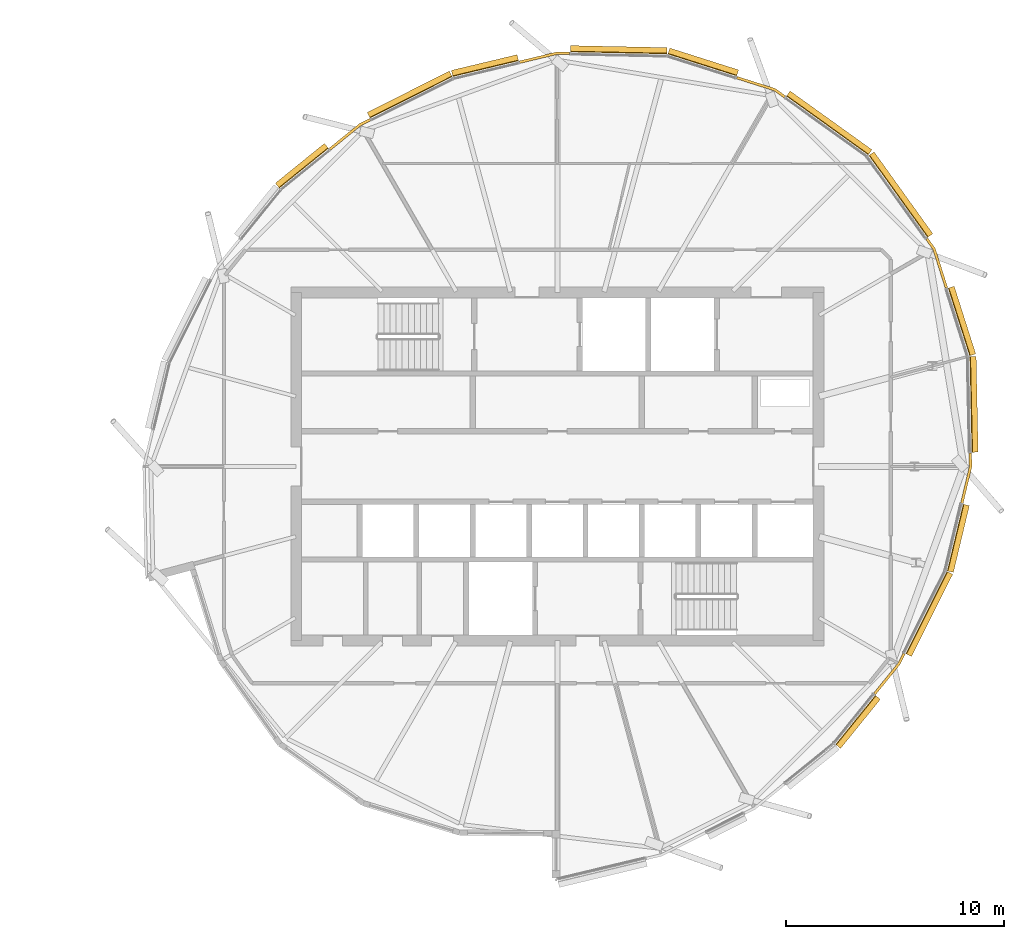
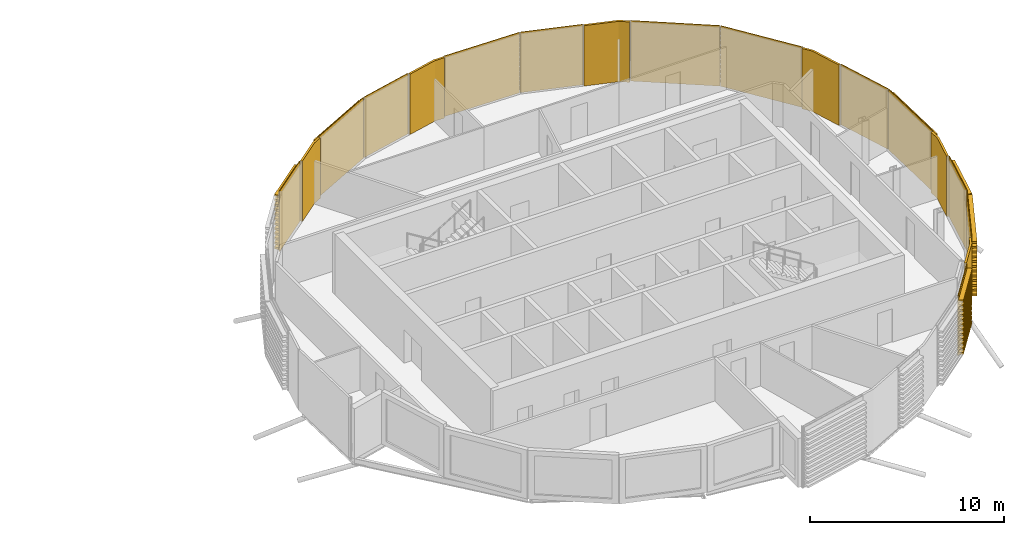
# One storey, part 34 of 34: 18 coverings.
"""IFC4 building model written with IfcOpenShell, lengths in metres."""

from ifc_helpers import new_model, si_unit, direction, frame, origin, place, context, subcontext, project, spatial, polyline, outline, extrude, material, layer, layer_set, material_profile, profile_set, type_object, element, save


model = new_model("IFC4")

# Units and contexts
model_context = context("Model", 3, precision=1e-05, world=origin(), true_north=direction((0.0, 1.0)))
body_context = subcontext(model_context, "Body", "Model", "MODEL_VIEW")
ifc_project = project(units=[si_unit("LENGTHUNIT", "METRE"), si_unit("AREAUNIT", "SQUARE_METRE"), si_unit("VOLUMEUNIT", "CUBIC_METRE"), si_unit("PLANEANGLEUNIT", "RADIAN"), si_unit("MASSUNIT", "GRAM", prefix="KILO")], contexts=[model_context])

# Site, building, storey
site_placement = place(None, origin())
site = spatial("IfcSite", under=ifc_project, at=site_placement, CompositionType="ELEMENT")
building_placement = place(site_placement, origin())
building = spatial("IfcBuilding", under=site, at=building_placement, Name="Rimbun Link Towers", CompositionType="ELEMENT")
storey_placement = place(building_placement, frame((0.0, 0.0, 252.300048828125)))
storey = spatial("IfcBuildingStorey", under=building, at=storey_placement, Name="L62", CompositionType="ELEMENT", Elevation=252.300048828125)

# Coverings
ifc_material_1 = material(Name="Terracotta", Category="masonry")
ifc_layer = layer(ifc_material_1, 0.1201171875)
ifc_layer_set = layer_set([ifc_layer], Name="LINK PIER terracotta cladding 120")
covering_type_1 = type_object("IfcCoveringType", Name="LINK PIER terracotta cladding 120", PredefinedType="CLADDING", material=ifc_layer_set)
covering_1_placement = place(storey_placement, origin())
element("IfcCovering", 1, at=covering_1_placement, inside=storey, type_object=covering_type_1, Name="LINK PIER cladding", PredefinedType="CLADDING", context=body_context, shape_type="SweptSolid", body=[
    extrude(outline(polyline([(39.98486328125, 17.81884765625), (41.71923828125, 17.267333984375), (42.182373046875, 16.93505859375), (42.25244140625, 17.032470703125), (41.773681640625, 17.3759765625), (40.021240234375, 17.933349609375), (39.98486328125, 17.81884765625)])), origin(), (0.0, 0.0, 1.0), 3.800048828125),
])
covering_2_placement = place(storey_placement, origin())
element("IfcCovering", 2, at=covering_2_placement, inside=storey, type_object=covering_type_1, Name="LINK PIER cladding", PredefinedType="CLADDING", context=body_context, shape_type="SweptSolid", body=[
    extrude(outline(polyline([(30.028564453125, 18.527587890625), (31.75, 18.939208984375), (32.31982421875, 18.92724609375), (32.322509765625, 19.047119140625), (31.737060546875, 19.0595703125), (30.000732421875, 18.644287109375), (30.028564453125, 18.527587890625)])), origin(), (0.0, 0.0, 1.0), 3.800048828125),
])
covering_3_placement = place(storey_placement, origin())
element("IfcCovering", 3, at=covering_3_placement, inside=storey, type_object=covering_type_1, Name="LINK PIER cladding", PredefinedType="CLADDING", context=body_context, shape_type="SweptSolid", body=[
    extrude(outline(polyline([(21.3359375, 14.541015625), (22.711669921875, 15.65478515625), (23.176513671875, 15.887939453125), (23.12255859375, 15.995361328125), (22.646240234375, 15.756103515625), (21.260498046875, 14.63427734375), (21.3359375, 14.541015625)])), origin(), (0.0, 0.0, 1.0), 3.800048828125),
])
covering_4_placement = place(storey_placement, origin())
element("IfcCovering", 4, at=covering_4_placement, inside=storey, type_object=covering_type_1, Name="LINK PIER cladding", PredefinedType="CLADDING", context=body_context, shape_type="SweptSolid", body=[
    extrude(outline(polyline([(47.637939453125, -8.573486328125), (47.40478515625, -9.038330078125), (46.291015625, -10.4140625), (46.38427734375, -10.489501953125), (47.506103515625, -9.103759765625), (47.745361328125, -8.62744140625), (47.637939453125, -8.573486328125)])), origin(), (0.0, 0.0, 1.0), 3.800048828125),
])
covering_5_placement = place(storey_placement, origin())
element("IfcCovering", 5, at=covering_5_placement, inside=storey, type_object=covering_type_1, Name="LINK PIER cladding", PredefinedType="CLADDING", context=body_context, shape_type="SweptSolid", body=[
    extrude(outline(polyline([(50.676025390625, 0.619873046875), (50.689208984375, 0.0), (50.2890625, -1.6728515625), (50.40576171875, -1.70068359375), (50.8095703125, -0.012939453125), (50.796142578125, 0.622314453125), (50.676025390625, 0.619873046875)])), origin(), (0.0, 0.0, 1.0), 3.800048828125),
])
covering_6_placement = place(storey_placement, origin())
element("IfcCovering", 6, at=covering_6_placement, inside=storey, type_object=covering_type_1, Name="LINK PIER cladding", PredefinedType="CLADDING", context=body_context, shape_type="SweptSolid", body=[
    extrude(outline(polyline([(48.68505859375, 10.432373046875), (49.017333984375, 9.96923828125), (49.583984375, 8.187255859375), (49.698486328125, 8.2236328125), (49.1259765625, 10.023681640625), (48.782470703125, 10.50244140625), (48.68505859375, 10.432373046875)])), origin(), (0.0, 0.0, 1.0), 3.800048828125),
])
ifc_material_2 = material(Name="Terracotta", Category="masonry")
ifc_material_profile = material_profile(ifc_material_2, outline(polyline([(0.123046875, 0.0), (0.1630859375, 0.0), (0.1630859375, 0.10009765625), (0.423095703125, 0.10009765625), (0.423095703125, 0.219970703125), (0.1630859375, 0.219970703125), (0.1630859375, 0.39990234375), (0.423095703125, 0.39990234375), (0.423095703125, 0.52001953125), (0.1630859375, 0.52001953125), (0.1630859375, 0.699951171875), (0.423095703125, 0.699951171875), (0.423095703125, 0.820068359375), (0.1630859375, 0.820068359375), (0.1630859375, 1.0), (0.423095703125, 1.0), (0.423095703125, 1.1201171875), (0.1630859375, 1.1201171875), (0.1630859375, 1.300048828125), (0.423095703125, 1.300048828125), (0.423095703125, 1.419921875), (0.1630859375, 1.419921875), (0.1630859375, 1.60009765625), (0.423095703125, 1.60009765625), (0.423095703125, 1.719970703125), (0.1630859375, 1.719970703125), (0.1630859375, 1.89990234375), (0.423095703125, 1.89990234375), (0.423095703125, 2.02001953125), (0.1630859375, 2.02001953125), (0.1630859375, 2.199951171875), (0.423095703125, 2.199951171875), (0.423095703125, 2.320068359375), (0.1630859375, 2.320068359375), (0.1630859375, 2.5), (0.423095703125, 2.5), (0.423095703125, 2.6201171875), (0.1630859375, 2.6201171875), (0.1630859375, 2.800048828125), (0.423095703125, 2.800048828125), (0.423095703125, 2.919921875), (0.1630859375, 2.919921875), (0.1630859375, 3.10009765625), (0.423095703125, 3.10009765625), (0.423095703125, 3.219970703125), (0.1630859375, 3.219970703125), (0.1630859375, 3.39990234375), (0.423095703125, 3.39990234375), (0.423095703125, 3.52001953125), (0.1630859375, 3.52001953125), (0.1630859375, 3.800048828125), (0.123046875, 3.800048828125), (0.123046875, 0.0)])), Name="BAGUETTE 120X300")
ifc_profile_set = profile_set([ifc_material_profile], Name="Terracotta")
covering_type_2 = type_object("IfcCoveringType", Name="TERRACOTTA BAGUETTE 120X300 H3800", PredefinedType="CLADDING", material=ifc_profile_set)
covering_7_placement = place(storey_placement, frame((42.206787109375, 16.91748046875, 0.0), z_axis=(0.812459513707, -0.583017614302, 0.0), x_axis=(0.583017614302, 0.812459513707, 0.0)))
element("IfcCovering", 7, at=covering_7_placement, inside=storey, type_object=covering_type_2, Name="TERRACOTTA BAGUETTE", PredefinedType="CLADDING", context=body_context, shape_type="SweptSolid", body=[
    extrude(outline(polyline([(0.123046875, 0.0), (0.1630859375, 0.0), (0.1630859375, 0.10009765625), (0.423095703125, 0.10009765625), (0.423095703125, 0.219970703125), (0.1630859375, 0.219970703125), (0.1630859375, 0.39990234375), (0.423095703125, 0.39990234375), (0.423095703125, 0.52001953125), (0.1630859375, 0.52001953125), (0.1630859375, 0.699951171875), (0.423095703125, 0.699951171875), (0.423095703125, 0.820068359375), (0.1630859375, 0.820068359375), (0.1630859375, 1.0), (0.423095703125, 1.0), (0.423095703125, 1.1201171875), (0.1630859375, 1.1201171875), (0.1630859375, 1.300048828125), (0.423095703125, 1.300048828125), (0.423095703125, 1.419921875), (0.1630859375, 1.419921875), (0.1630859375, 1.60009765625), (0.423095703125, 1.60009765625), (0.423095703125, 1.719970703125), (0.1630859375, 1.719970703125), (0.1630859375, 1.89990234375), (0.423095703125, 1.89990234375), (0.423095703125, 2.02001953125), (0.1630859375, 2.02001953125), (0.1630859375, 2.199951171875), (0.423095703125, 2.199951171875), (0.423095703125, 2.320068359375), (0.1630859375, 2.320068359375), (0.1630859375, 2.5), (0.423095703125, 2.5), (0.423095703125, 2.6201171875), (0.1630859375, 2.6201171875), (0.1630859375, 2.800048828125), (0.423095703125, 2.800048828125), (0.423095703125, 2.919921875), (0.1630859375, 2.919921875), (0.1630859375, 3.10009765625), (0.423095703125, 3.10009765625), (0.423095703125, 3.219970703125), (0.1630859375, 3.219970703125), (0.1630859375, 3.39990234375), (0.423095703125, 3.39990234375), (0.423095703125, 3.52001953125), (0.1630859375, 3.52001953125), (0.1630859375, 3.800048828125), (0.123046875, 3.800048828125), (0.123046875, 0.0)])), origin(), (0.0, 0.0, 1.0), 4.629638671875),
])
covering_8_placement = place(storey_placement, frame((36.79638671875, 18.8330078125, 0.0), z_axis=(0.952951884301, -0.303121603003, 0.0), x_axis=(0.303121603003, 0.952951884301, 0.0)))
element("IfcCovering", 8, at=covering_8_placement, inside=storey, type_object=covering_type_2, Name="TERRACOTTA BAGUETTE", PredefinedType="CLADDING", context=body_context, shape_type="SweptSolid", body=[
    extrude(outline(polyline([(0.123046875, 0.0), (0.1630859375, 0.0), (0.1630859375, 0.10009765625), (0.423095703125, 0.10009765625), (0.423095703125, 0.219970703125), (0.1630859375, 0.219970703125), (0.1630859375, 0.39990234375), (0.423095703125, 0.39990234375), (0.423095703125, 0.52001953125), (0.1630859375, 0.52001953125), (0.1630859375, 0.699951171875), (0.423095703125, 0.699951171875), (0.423095703125, 0.820068359375), (0.1630859375, 0.820068359375), (0.1630859375, 1.0), (0.423095703125, 1.0), (0.423095703125, 1.1201171875), (0.1630859375, 1.1201171875), (0.1630859375, 1.300048828125), (0.423095703125, 1.300048828125), (0.423095703125, 1.419921875), (0.1630859375, 1.419921875), (0.1630859375, 1.60009765625), (0.423095703125, 1.60009765625), (0.423095703125, 1.719970703125), (0.1630859375, 1.719970703125), (0.1630859375, 1.89990234375), (0.423095703125, 1.89990234375), (0.423095703125, 2.02001953125), (0.1630859375, 2.02001953125), (0.1630859375, 2.199951171875), (0.423095703125, 2.199951171875), (0.423095703125, 2.320068359375), (0.1630859375, 2.320068359375), (0.1630859375, 2.5), (0.423095703125, 2.5), (0.423095703125, 2.6201171875), (0.1630859375, 2.6201171875), (0.1630859375, 2.800048828125), (0.423095703125, 2.800048828125), (0.423095703125, 2.919921875), (0.1630859375, 2.919921875), (0.1630859375, 3.10009765625), (0.423095703125, 3.10009765625), (0.423095703125, 3.219970703125), (0.1630859375, 3.219970703125), (0.1630859375, 3.39990234375), (0.423095703125, 3.39990234375), (0.423095703125, 3.52001953125), (0.1630859375, 3.52001953125), (0.1630859375, 3.800048828125), (0.123046875, 3.800048828125), (0.123046875, 0.0)])), origin(), (0.0, 0.0, 1.0), 3.31591796875),
])
covering_9_placement = place(storey_placement, frame((32.349853515625, 18.926513671875, 0.0), z_axis=(0.999778965245, -0.02102428725, 0.0), x_axis=(0.02102428725, 0.999778965245, 0.0)))
element("IfcCovering", 9, at=covering_9_placement, inside=storey, type_object=covering_type_2, Name="TERRACOTTA BAGUETTE", PredefinedType="CLADDING", context=body_context, shape_type="SweptSolid", body=[
    extrude(outline(polyline([(0.123046875, 0.0), (0.1630859375, 0.0), (0.1630859375, 0.10009765625), (0.423095703125, 0.10009765625), (0.423095703125, 0.219970703125), (0.1630859375, 0.219970703125), (0.1630859375, 0.39990234375), (0.423095703125, 0.39990234375), (0.423095703125, 0.52001953125), (0.1630859375, 0.52001953125), (0.1630859375, 0.699951171875), (0.423095703125, 0.699951171875), (0.423095703125, 0.820068359375), (0.1630859375, 0.820068359375), (0.1630859375, 1.0), (0.423095703125, 1.0), (0.423095703125, 1.1201171875), (0.1630859375, 1.1201171875), (0.1630859375, 1.300048828125), (0.423095703125, 1.300048828125), (0.423095703125, 1.419921875), (0.1630859375, 1.419921875), (0.1630859375, 1.60009765625), (0.423095703125, 1.60009765625), (0.423095703125, 1.719970703125), (0.1630859375, 1.719970703125), (0.1630859375, 1.89990234375), (0.423095703125, 1.89990234375), (0.423095703125, 2.02001953125), (0.1630859375, 2.02001953125), (0.1630859375, 2.199951171875), (0.423095703125, 2.199951171875), (0.423095703125, 2.320068359375), (0.1630859375, 2.320068359375), (0.1630859375, 2.5), (0.423095703125, 2.5), (0.423095703125, 2.6201171875), (0.1630859375, 2.6201171875), (0.1630859375, 2.800048828125), (0.423095703125, 2.800048828125), (0.423095703125, 2.919921875), (0.1630859375, 2.919921875), (0.1630859375, 3.10009765625), (0.423095703125, 3.10009765625), (0.423095703125, 3.219970703125), (0.1630859375, 3.219970703125), (0.1630859375, 3.39990234375), (0.423095703125, 3.39990234375), (0.423095703125, 3.52001953125), (0.1630859375, 3.52001953125), (0.1630859375, 3.800048828125), (0.123046875, 3.800048828125), (0.123046875, 0.0)])), origin(), (0.0, 0.0, 1.0), 4.447509765625),
])
covering_10_placement = place(storey_placement, frame((26.98095703125, 17.798583984375, 0.0), z_axis=(0.972567672388, 0.232620125152, 0.0), x_axis=(-0.232620125152, 0.972567672388, 0.0)))
element("IfcCovering", 10, at=covering_10_placement, inside=storey, type_object=covering_type_2, Name="TERRACOTTA BAGUETTE", PredefinedType="CLADDING", context=body_context, shape_type="SweptSolid", body=[
    extrude(outline(polyline([(0.123046875, 0.0), (0.1630859375, 0.0), (0.1630859375, 0.10009765625), (0.423095703125, 0.10009765625), (0.423095703125, 0.219970703125), (0.1630859375, 0.219970703125), (0.1630859375, 0.39990234375), (0.423095703125, 0.39990234375), (0.423095703125, 0.52001953125), (0.1630859375, 0.52001953125), (0.1630859375, 0.699951171875), (0.423095703125, 0.699951171875), (0.423095703125, 0.820068359375), (0.1630859375, 0.820068359375), (0.1630859375, 1.0), (0.423095703125, 1.0), (0.423095703125, 1.1201171875), (0.1630859375, 1.1201171875), (0.1630859375, 1.300048828125), (0.423095703125, 1.300048828125), (0.423095703125, 1.419921875), (0.1630859375, 1.419921875), (0.1630859375, 1.60009765625), (0.423095703125, 1.60009765625), (0.423095703125, 1.719970703125), (0.1630859375, 1.719970703125), (0.1630859375, 1.89990234375), (0.423095703125, 1.89990234375), (0.423095703125, 2.02001953125), (0.1630859375, 2.02001953125), (0.1630859375, 2.199951171875), (0.423095703125, 2.199951171875), (0.423095703125, 2.320068359375), (0.1630859375, 2.320068359375), (0.1630859375, 2.5), (0.423095703125, 2.5), (0.423095703125, 2.6201171875), (0.1630859375, 2.6201171875), (0.1630859375, 2.800048828125), (0.423095703125, 2.800048828125), (0.423095703125, 2.919921875), (0.1630859375, 2.919921875), (0.1630859375, 3.10009765625), (0.423095703125, 3.10009765625), (0.423095703125, 3.219970703125), (0.1630859375, 3.219970703125), (0.1630859375, 3.39990234375), (0.423095703125, 3.39990234375), (0.423095703125, 3.52001953125), (0.1630859375, 3.52001953125), (0.1630859375, 3.800048828125), (0.123046875, 3.800048828125), (0.123046875, 0.0)])), origin(), (0.0, 0.0, 1.0), 3.103515625),
])
covering_11_placement = place(storey_placement, frame((23.203125, 15.901611328125, 0.0), z_axis=(0.89366355733, 0.448737614092, 0.0), x_axis=(-0.448737614092, 0.89366355733, 0.0)))
element("IfcCovering", 11, at=covering_11_placement, inside=storey, type_object=covering_type_2, Name="TERRACOTTA BAGUETTE", PredefinedType="CLADDING", context=body_context, shape_type="SweptSolid", body=[
    extrude(outline(polyline([(0.123046875, 0.0), (0.1630859375, 0.0), (0.1630859375, 0.10009765625), (0.423095703125, 0.10009765625), (0.423095703125, 0.219970703125), (0.1630859375, 0.219970703125), (0.1630859375, 0.39990234375), (0.423095703125, 0.39990234375), (0.423095703125, 0.52001953125), (0.1630859375, 0.52001953125), (0.1630859375, 0.699951171875), (0.423095703125, 0.699951171875), (0.423095703125, 0.820068359375), (0.1630859375, 0.820068359375), (0.1630859375, 1.0), (0.423095703125, 1.0), (0.423095703125, 1.1201171875), (0.1630859375, 1.1201171875), (0.1630859375, 1.300048828125), (0.423095703125, 1.300048828125), (0.423095703125, 1.419921875), (0.1630859375, 1.419921875), (0.1630859375, 1.60009765625), (0.423095703125, 1.60009765625), (0.423095703125, 1.719970703125), (0.1630859375, 1.719970703125), (0.1630859375, 1.89990234375), (0.423095703125, 1.89990234375), (0.423095703125, 2.02001953125), (0.1630859375, 2.02001953125), (0.1630859375, 2.199951171875), (0.423095703125, 2.199951171875), (0.423095703125, 2.320068359375), (0.1630859375, 2.320068359375), (0.1630859375, 2.5), (0.423095703125, 2.5), (0.423095703125, 2.6201171875), (0.1630859375, 2.6201171875), (0.1630859375, 2.800048828125), (0.423095703125, 2.800048828125), (0.423095703125, 2.919921875), (0.1630859375, 2.919921875), (0.1630859375, 3.10009765625), (0.423095703125, 3.10009765625), (0.423095703125, 3.219970703125), (0.1630859375, 3.219970703125), (0.1630859375, 3.39990234375), (0.423095703125, 3.39990234375), (0.423095703125, 3.52001953125), (0.1630859375, 3.52001953125), (0.1630859375, 3.800048828125), (0.123046875, 3.800048828125), (0.123046875, 0.0)])), origin(), (0.0, 0.0, 1.0), 4.227294921875),
])
for number, where, z_axis, x_axis, name in (
    (12, (19.05517578125, 12.69482421875, 0.0), (0.777238997836, 0.629205483323, 0.0), (-0.629205483323, 0.777238997836, 0.0), "TERRACOTTA BAGUETTE"),
    (13, (46.272216796875, -10.4375, 0.0), (-0.629205483323, -0.777238997836, 0.0), (0.777238997836, -0.629205483323, 0.0), "TERRACOTTA BAGUETTE"),
):
    element("IfcCovering", number, at=place(storey_placement, frame(where, z_axis=z_axis, x_axis=x_axis)), inside=storey, type_object=covering_type_2, Name=name, PredefinedType="CLADDING", context=body_context, shape_type="SweptSolid", body=[
        extrude(outline(polyline([(0.123046875, 0.0), (0.1630859375, 0.0), (0.1630859375, 0.10009765625), (0.423095703125, 0.10009765625), (0.423095703125, 0.219970703125), (0.1630859375, 0.219970703125), (0.1630859375, 0.39990234375), (0.423095703125, 0.39990234375), (0.423095703125, 0.52001953125), (0.1630859375, 0.52001953125), (0.1630859375, 0.699951171875), (0.423095703125, 0.699951171875), (0.423095703125, 0.820068359375), (0.1630859375, 0.820068359375), (0.1630859375, 1.0), (0.423095703125, 1.0), (0.423095703125, 1.1201171875), (0.1630859375, 1.1201171875), (0.1630859375, 1.300048828125), (0.423095703125, 1.300048828125), (0.423095703125, 1.419921875), (0.1630859375, 1.419921875), (0.1630859375, 1.60009765625), (0.423095703125, 1.60009765625), (0.423095703125, 1.719970703125), (0.1630859375, 1.719970703125), (0.1630859375, 1.89990234375), (0.423095703125, 1.89990234375), (0.423095703125, 2.02001953125), (0.1630859375, 2.02001953125), (0.1630859375, 2.199951171875), (0.423095703125, 2.199951171875), (0.423095703125, 2.320068359375), (0.1630859375, 2.320068359375), (0.1630859375, 2.5), (0.423095703125, 2.5), (0.423095703125, 2.6201171875), (0.1630859375, 2.6201171875), (0.1630859375, 2.800048828125), (0.423095703125, 2.800048828125), (0.423095703125, 2.919921875), (0.1630859375, 2.919921875), (0.1630859375, 3.10009765625), (0.423095703125, 3.10009765625), (0.423095703125, 3.219970703125), (0.1630859375, 3.219970703125), (0.1630859375, 3.39990234375), (0.423095703125, 3.39990234375), (0.423095703125, 3.52001953125), (0.1630859375, 3.52001953125), (0.1630859375, 3.800048828125), (0.123046875, 3.800048828125), (0.123046875, 0.0)])), origin(), (0.0, 0.0, 1.0), 2.904296875),
    ])
covering_12_placement = place(storey_placement, frame((49.548583984375, -4.76904296875, 0.0), z_axis=(-0.448737614092, -0.89366355733, 0.0), x_axis=(0.89366355733, -0.448737614092, 0.0)))
element("IfcCovering", 14, at=covering_12_placement, inside=storey, type_object=covering_type_2, Name="TERRACOTTA BAGUETTE", PredefinedType="CLADDING", context=body_context, shape_type="SweptSolid", body=[
    extrude(outline(polyline([(0.123046875, 0.0), (0.1630859375, 0.0), (0.1630859375, 0.10009765625), (0.423095703125, 0.10009765625), (0.423095703125, 0.219970703125), (0.1630859375, 0.219970703125), (0.1630859375, 0.39990234375), (0.423095703125, 0.39990234375), (0.423095703125, 0.52001953125), (0.1630859375, 0.52001953125), (0.1630859375, 0.699951171875), (0.423095703125, 0.699951171875), (0.423095703125, 0.820068359375), (0.1630859375, 0.820068359375), (0.1630859375, 1.0), (0.423095703125, 1.0), (0.423095703125, 1.1201171875), (0.1630859375, 1.1201171875), (0.1630859375, 1.300048828125), (0.423095703125, 1.300048828125), (0.423095703125, 1.419921875), (0.1630859375, 1.419921875), (0.1630859375, 1.60009765625), (0.423095703125, 1.60009765625), (0.423095703125, 1.719970703125), (0.1630859375, 1.719970703125), (0.1630859375, 1.89990234375), (0.423095703125, 1.89990234375), (0.423095703125, 2.02001953125), (0.1630859375, 2.02001953125), (0.1630859375, 2.199951171875), (0.423095703125, 2.199951171875), (0.423095703125, 2.320068359375), (0.1630859375, 2.320068359375), (0.1630859375, 2.5), (0.423095703125, 2.5), (0.423095703125, 2.6201171875), (0.1630859375, 2.6201171875), (0.1630859375, 2.800048828125), (0.423095703125, 2.800048828125), (0.423095703125, 2.919921875), (0.1630859375, 2.919921875), (0.1630859375, 3.10009765625), (0.423095703125, 3.10009765625), (0.423095703125, 3.219970703125), (0.1630859375, 3.219970703125), (0.1630859375, 3.39990234375), (0.423095703125, 3.39990234375), (0.423095703125, 3.52001953125), (0.1630859375, 3.52001953125), (0.1630859375, 3.800048828125), (0.123046875, 3.800048828125), (0.123046875, 0.0)])), origin(), (0.0, 0.0, 1.0), 4.227294921875),
])
covering_13_placement = place(storey_placement, frame((50.2822265625, -1.701904296875, 0.0), z_axis=(-0.232632113265, -0.972564804976, 0.0), x_axis=(0.972564804976, -0.232632113265, 0.0)))
element("IfcCovering", 15, at=covering_13_placement, inside=storey, type_object=covering_type_2, Name="TERRACOTTA BAGUETTE", PredefinedType="CLADDING", context=body_context, shape_type="SweptSolid", body=[
    extrude(outline(polyline([(0.123046875, 0.0), (0.1630859375, 0.0), (0.1630859375, 0.10009765625), (0.423095703125, 0.10009765625), (0.423095703125, 0.219970703125), (0.1630859375, 0.219970703125), (0.1630859375, 0.39990234375), (0.423095703125, 0.39990234375), (0.423095703125, 0.52001953125), (0.1630859375, 0.52001953125), (0.1630859375, 0.699951171875), (0.423095703125, 0.699951171875), (0.423095703125, 0.820068359375), (0.1630859375, 0.820068359375), (0.1630859375, 1.0), (0.423095703125, 1.0), (0.423095703125, 1.1201171875), (0.1630859375, 1.1201171875), (0.1630859375, 1.300048828125), (0.423095703125, 1.300048828125), (0.423095703125, 1.419921875), (0.1630859375, 1.419921875), (0.1630859375, 1.60009765625), (0.423095703125, 1.60009765625), (0.423095703125, 1.719970703125), (0.1630859375, 1.719970703125), (0.1630859375, 1.89990234375), (0.423095703125, 1.89990234375), (0.423095703125, 2.02001953125), (0.1630859375, 2.02001953125), (0.1630859375, 2.199951171875), (0.423095703125, 2.199951171875), (0.423095703125, 2.320068359375), (0.1630859375, 2.320068359375), (0.1630859375, 2.5), (0.423095703125, 2.5), (0.423095703125, 2.6201171875), (0.1630859375, 2.6201171875), (0.1630859375, 2.800048828125), (0.423095703125, 2.800048828125), (0.423095703125, 2.919921875), (0.1630859375, 2.919921875), (0.1630859375, 3.10009765625), (0.423095703125, 3.10009765625), (0.423095703125, 3.219970703125), (0.1630859375, 3.219970703125), (0.1630859375, 3.39990234375), (0.423095703125, 3.39990234375), (0.423095703125, 3.52001953125), (0.1630859375, 3.52001953125), (0.1630859375, 3.800048828125), (0.123046875, 3.800048828125), (0.123046875, 0.0)])), origin(), (0.0, 0.0, 1.0), 3.153564453125),
])
covering_14_placement = place(storey_placement, frame((50.5830078125, 5.04638671875, 0.0), z_axis=(0.021041542106, -0.999778602244, 0.0), x_axis=(0.999778602244, 0.021041542106, 0.0)))
element("IfcCovering", 16, at=covering_14_placement, inside=storey, type_object=covering_type_2, Name="TERRACOTTA BAGUETTE", PredefinedType="CLADDING", context=body_context, shape_type="SweptSolid", body=[
    extrude(outline(polyline([(0.123046875, 0.0), (0.1630859375, 0.0), (0.1630859375, 0.10009765625), (0.423095703125, 0.10009765625), (0.423095703125, 0.219970703125), (0.1630859375, 0.219970703125), (0.1630859375, 0.39990234375), (0.423095703125, 0.39990234375), (0.423095703125, 0.52001953125), (0.1630859375, 0.52001953125), (0.1630859375, 0.699951171875), (0.423095703125, 0.699951171875), (0.423095703125, 0.820068359375), (0.1630859375, 0.820068359375), (0.1630859375, 1.0), (0.423095703125, 1.0), (0.423095703125, 1.1201171875), (0.1630859375, 1.1201171875), (0.1630859375, 1.300048828125), (0.423095703125, 1.300048828125), (0.423095703125, 1.419921875), (0.1630859375, 1.419921875), (0.1630859375, 1.60009765625), (0.423095703125, 1.60009765625), (0.423095703125, 1.719970703125), (0.1630859375, 1.719970703125), (0.1630859375, 1.89990234375), (0.423095703125, 1.89990234375), (0.423095703125, 2.02001953125), (0.1630859375, 2.02001953125), (0.1630859375, 2.199951171875), (0.423095703125, 2.199951171875), (0.423095703125, 2.320068359375), (0.1630859375, 2.320068359375), (0.1630859375, 2.5), (0.423095703125, 2.5), (0.423095703125, 2.6201171875), (0.1630859375, 2.6201171875), (0.1630859375, 2.800048828125), (0.423095703125, 2.800048828125), (0.423095703125, 2.919921875), (0.1630859375, 2.919921875), (0.1630859375, 3.10009765625), (0.423095703125, 3.10009765625), (0.423095703125, 3.219970703125), (0.1630859375, 3.219970703125), (0.1630859375, 3.39990234375), (0.423095703125, 3.39990234375), (0.423095703125, 3.52001953125), (0.1630859375, 3.52001953125), (0.1630859375, 3.800048828125), (0.123046875, 3.800048828125), (0.123046875, 0.0)])), origin(), (0.0, 0.0, 1.0), 4.3974609375),
])
covering_15_placement = place(storey_placement, frame((49.593017578125, 8.15869140625, 0.0), z_axis=(0.303123433466, -0.952951302053, 0.0), x_axis=(0.952951302053, 0.303123433466, 0.0)))
element("IfcCovering", 17, at=covering_15_placement, inside=storey, type_object=covering_type_2, Name="TERRACOTTA BAGUETTE", PredefinedType="CLADDING", context=body_context, shape_type="SweptSolid", body=[
    extrude(outline(polyline([(0.123046875, 0.0), (0.1630859375, 0.0), (0.1630859375, 0.10009765625), (0.423095703125, 0.10009765625), (0.423095703125, 0.219970703125), (0.1630859375, 0.219970703125), (0.1630859375, 0.39990234375), (0.423095703125, 0.39990234375), (0.423095703125, 0.52001953125), (0.1630859375, 0.52001953125), (0.1630859375, 0.699951171875), (0.423095703125, 0.699951171875), (0.423095703125, 0.820068359375), (0.1630859375, 0.820068359375), (0.1630859375, 1.0), (0.423095703125, 1.0), (0.423095703125, 1.1201171875), (0.1630859375, 1.1201171875), (0.1630859375, 1.300048828125), (0.423095703125, 1.300048828125), (0.423095703125, 1.419921875), (0.1630859375, 1.419921875), (0.1630859375, 1.60009765625), (0.423095703125, 1.60009765625), (0.423095703125, 1.719970703125), (0.1630859375, 1.719970703125), (0.1630859375, 1.89990234375), (0.423095703125, 1.89990234375), (0.423095703125, 2.02001953125), (0.1630859375, 2.02001953125), (0.1630859375, 2.199951171875), (0.423095703125, 2.199951171875), (0.423095703125, 2.320068359375), (0.1630859375, 2.320068359375), (0.1630859375, 2.5), (0.423095703125, 2.5), (0.423095703125, 2.6201171875), (0.1630859375, 2.6201171875), (0.1630859375, 2.800048828125), (0.423095703125, 2.800048828125), (0.423095703125, 2.919921875), (0.1630859375, 2.919921875), (0.1630859375, 3.10009765625), (0.423095703125, 3.10009765625), (0.423095703125, 3.219970703125), (0.1630859375, 3.219970703125), (0.1630859375, 3.39990234375), (0.423095703125, 3.39990234375), (0.423095703125, 3.52001953125), (0.1630859375, 3.52001953125), (0.1630859375, 3.800048828125), (0.123046875, 3.800048828125), (0.123046875, 0.0)])), origin(), (0.0, 0.0, 1.0), 3.265869140625),
])
covering_16_placement = place(storey_placement, frame((45.96826171875, 14.21826171875, 0.0), z_axis=(0.583017614302, -0.812459513707, 0.0), x_axis=(0.812459513707, 0.583017614302, 0.0)))
element("IfcCovering", 18, at=covering_16_placement, inside=storey, type_object=covering_type_2, Name="TERRACOTTA BAGUETTE", PredefinedType="CLADDING", context=body_context, shape_type="SweptSolid", body=[
    extrude(outline(polyline([(0.123046875, 0.0), (0.1630859375, 0.0), (0.1630859375, 0.10009765625), (0.423095703125, 0.10009765625), (0.423095703125, 0.219970703125), (0.1630859375, 0.219970703125), (0.1630859375, 0.39990234375), (0.423095703125, 0.39990234375), (0.423095703125, 0.52001953125), (0.1630859375, 0.52001953125), (0.1630859375, 0.699951171875), (0.423095703125, 0.699951171875), (0.423095703125, 0.820068359375), (0.1630859375, 0.820068359375), (0.1630859375, 1.0), (0.423095703125, 1.0), (0.423095703125, 1.1201171875), (0.1630859375, 1.1201171875), (0.1630859375, 1.300048828125), (0.423095703125, 1.300048828125), (0.423095703125, 1.419921875), (0.1630859375, 1.419921875), (0.1630859375, 1.60009765625), (0.423095703125, 1.60009765625), (0.423095703125, 1.719970703125), (0.1630859375, 1.719970703125), (0.1630859375, 1.89990234375), (0.423095703125, 1.89990234375), (0.423095703125, 2.02001953125), (0.1630859375, 2.02001953125), (0.1630859375, 2.199951171875), (0.423095703125, 2.199951171875), (0.423095703125, 2.320068359375), (0.1630859375, 2.320068359375), (0.1630859375, 2.5), (0.423095703125, 2.5), (0.423095703125, 2.6201171875), (0.1630859375, 2.6201171875), (0.1630859375, 2.800048828125), (0.423095703125, 2.800048828125), (0.423095703125, 2.919921875), (0.1630859375, 2.919921875), (0.1630859375, 3.10009765625), (0.423095703125, 3.10009765625), (0.423095703125, 3.219970703125), (0.1630859375, 3.219970703125), (0.1630859375, 3.39990234375), (0.423095703125, 3.39990234375), (0.423095703125, 3.52001953125), (0.1630859375, 3.52001953125), (0.1630859375, 3.800048828125), (0.123046875, 3.800048828125), (0.123046875, 0.0)])), origin(), (0.0, 0.0, 1.0), 4.629638671875),
])

save(model, "model.ifc")
